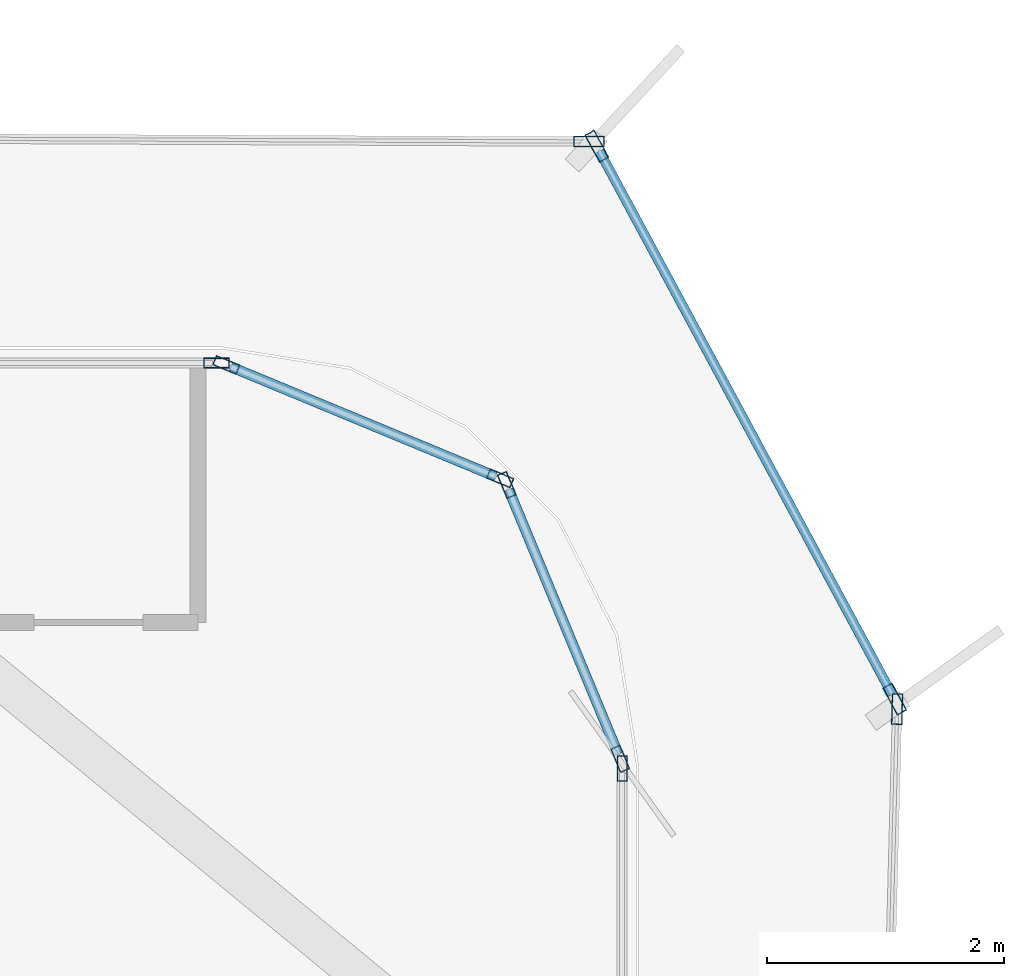
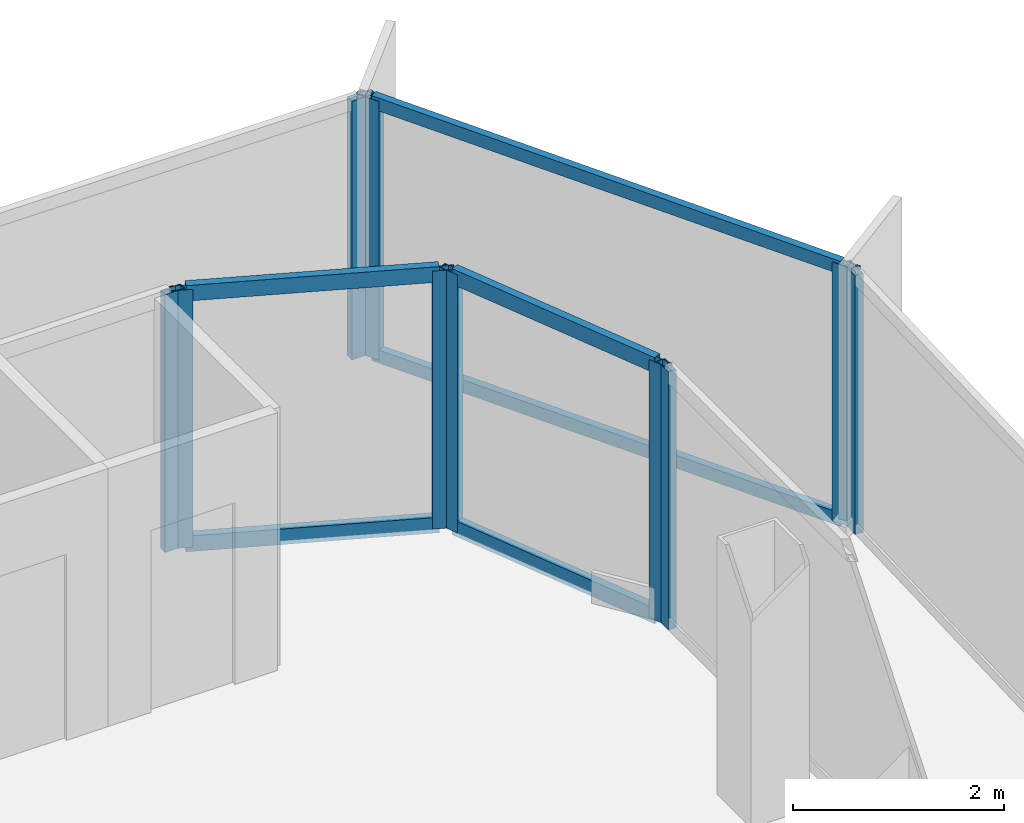
# One storey, part 8 of 16: 16 members, 7 elements without a shape of their own.
"""IFC4 building model written with IfcOpenShell, lengths in metres."""

from ifc_helpers import new_model, si_unit, direction, frame, origin, origin_2d, place, context, subcontext, project, spatial, hollow_rectangle, extrude, source, transform, mapped, material, layer, layer_set, material_profile, profile_set, type_object, element, aggregate, save


model = new_model("IFC4")

# Units and contexts
model_context = context("Model", 3, precision=1e-05, world=origin(), true_north=direction((0.0, 1.0)))
body_context = subcontext(model_context, "Body", "Model", "MODEL_VIEW")
ifc_project = project(units=[si_unit("LENGTHUNIT", "METRE"), si_unit("AREAUNIT", "SQUARE_METRE"), si_unit("VOLUMEUNIT", "CUBIC_METRE"), si_unit("PLANEANGLEUNIT", "RADIAN"), si_unit("MASSUNIT", "GRAM", prefix="KILO")], contexts=[model_context])

# Site, building, storey
site_placement = place(None, origin())
site = spatial("IfcSite", under=ifc_project, at=site_placement, CompositionType="ELEMENT")
building_placement = place(site_placement, origin())
building = spatial("IfcBuilding", under=site, at=building_placement, Name="Kolveth Station Tower", CompositionType="ELEMENT")
storey_placement = place(building_placement, frame((0.0, 0.0, 236.10009765625)))
storey = spatial("IfcBuildingStorey", under=building, at=storey_placement, Name="L67", CompositionType="ELEMENT", Elevation=236.10009765625)

# Curtain wall, member
ifc_material_1 = material(Name="Black anodized aluminium 6063-T6 and dark solar glass", Category="aluminium")
ifc_layer_1 = layer(ifc_material_1, 0.159912109375)
ifc_layer_set_1 = layer_set([ifc_layer_1], Name="Black anodized aluminium 6063-T6 and dark solar glass")
curtain_wall_type_1 = type_object("IfcCurtainWallType", Name="OUTER SKIN CW-OS", PredefinedType="NOTDEFINED", material=ifc_layer_set_1)
curtain_wall_1_placement = place(storey_placement, origin())
curtain_wall_1 = element("IfcCurtainWall", 1, at=curtain_wall_1_placement, inside=storey, type_object=curtain_wall_type_1, Name="L67 Outer Ventilated Skin Curtain Wall 2", PredefinedType="NOTDEFINED")
ifc_material_2 = material(Name="Black anodized aluminium 6063-T6", Category="aluminium")
ifc_material_profile_1 = material_profile(ifc_material_2, hollow_rectangle(XDim=0.090087890625, YDim=0.260009765625, WallThickness=0.0048828125, at=origin_2d()), Name="ALU-90x260x5")
ifc_profile_set_1 = profile_set([ifc_material_profile_1], Name="Black anodized aluminium 6063-T6")
member_type_1 = type_object("IfcMemberType", Name="FIN MULLION ML-OS", PredefinedType="MULLION", material=ifc_profile_set_1)
shared_shape_1 = source(origin(), body_context, "Body", "SweptSolid", [
    extrude(hollow_rectangle(XDim=0.090087890625, YDim=0.260009765625, WallThickness=0.0048828125, at=origin_2d()), origin(), (0.0, 0.0, 1.0), 2.989990234375),
])
member_1_placement = place(storey_placement, frame((44.001220703125, 32.258544921875, 0.0), z_axis=(0.0, 0.0, 1.0), x_axis=(-0.999666538704, 0.0258226915, 0.0)))
member_1 = element("IfcMember", 2, at=member_1_placement, type_object=member_type_1, Name="CW-OS mullion 2", PredefinedType="MULLION", context=body_context, shape_type="MappedRepresentation", body=[
    mapped(shared_shape_1, transform((0.0, 0.0, 0.0), x_axis=(1.0, 0.0, 0.0), y_axis=(0.0, 1.0, 0.0), z_axis=(0.0, 0.0, 1.0), scale=1.0)),
])
aggregate(curtain_wall_1, [member_1])

# Curtain wall, members
curtain_wall_2_placement = place(storey_placement, origin())
curtain_wall_2 = element("IfcCurtainWall", 3, at=curtain_wall_2_placement, inside=storey, type_object=curtain_wall_type_1, Name="L67 Outer Ventilated Skin Curtain Wall 3", PredefinedType="NOTDEFINED")
member_2_placement = place(storey_placement, frame((43.981201171875, 32.343017578125, 0.0), z_axis=(0.0, 0.0, 1.0), x_axis=(-0.880317370004, -0.474385210636, 0.0)))
member_2 = element("IfcMember", 4, at=member_2_placement, type_object=member_type_1, Name="CW-OS mullion 1", PredefinedType="MULLION", context=body_context, shape_type="MappedRepresentation", body=[
    mapped(shared_shape_1, transform((0.0, 0.0, 0.0), x_axis=(1.0, 0.0, 0.0), y_axis=(0.0, 1.0, 0.0), z_axis=(0.0, 0.0, 1.0), scale=1.0)),
])
member_3_placement = place(storey_placement, frame((41.466552734375, 37.00927734375, 0.0), z_axis=(0.0, 0.0, 1.0), x_axis=(-0.880317370004, -0.474385210636, 0.0)))
member_3 = element("IfcMember", 5, at=member_3_placement, type_object=member_type_1, Name="CW-OS mullion 2", PredefinedType="MULLION", context=body_context, shape_type="MappedRepresentation", body=[
    mapped(shared_shape_1, transform((0.0, 0.0, 0.0), x_axis=(1.0, 0.0, 0.0), y_axis=(0.0, 1.0, 0.0), z_axis=(0.0, 0.0, 1.0), scale=1.0)),
])

# Curtain wall, member
curtain_wall_3_placement = place(storey_placement, origin())
curtain_wall_3 = element("IfcCurtainWall", 6, at=curtain_wall_3_placement, inside=storey, type_object=curtain_wall_type_1, Name="L67 Outer Ventilated Skin Curtain Wall 4", PredefinedType="NOTDEFINED")
member_4_placement = place(storey_placement, frame((41.400390625, 37.049072265625, 0.0), z_axis=(0.0, 0.0, 1.0), x_axis=(-0.004565667705, -0.999989577285, 0.0)))
member_4 = element("IfcMember", 7, at=member_4_placement, type_object=member_type_1, Name="CW-OS mullion 1", PredefinedType="MULLION", context=body_context, shape_type="MappedRepresentation", body=[
    mapped(shared_shape_1, transform((0.0, 0.0, 0.0), x_axis=(1.0, 0.0, 0.0), y_axis=(0.0, 1.0, 0.0), z_axis=(0.0, 0.0, 1.0), scale=1.0)),
])
aggregate(curtain_wall_3, [member_4])

ifc_material_3 = material(Name="Aluminium 6063-T6 and triple low-E dark glass", Category="aluminium")
ifc_layer_2 = layer(ifc_material_3, 0.199951171875)
ifc_layer_set_2 = layer_set([ifc_layer_2], Name="Aluminium 6063-T6 and triple low-E dark glass")
curtain_wall_type_2 = type_object("IfcCurtainWallType", Name="CurtainWall_CW-Z3", PredefinedType="NOTDEFINED", material=ifc_layer_set_2)
curtain_wall_4_placement = place(storey_placement, origin())
curtain_wall_4 = element("IfcCurtainWall", 8, at=curtain_wall_4_placement, inside=storey, type_object=curtain_wall_type_2, Name="L67 Inner Thermal Curtain Wall 3", PredefinedType="NOTDEFINED")
ifc_material_profile_2 = material_profile(ifc_material_2, hollow_rectangle(XDim=0.0849609375, YDim=0.215087890625, WallThickness=0.0048828125, at=origin_2d()), Name="ALU-85x215x5")
ifc_profile_set_2 = profile_set([ifc_material_profile_2], Name="Black anodized aluminium 6063-T6")
member_type_2 = type_object("IfcMemberType", Name="Mullion_ML3", PredefinedType="MULLION", material=ifc_profile_set_2)
shared_shape_2 = source(origin(), body_context, "Body", "SweptSolid", [
    extrude(hollow_rectangle(XDim=0.0849609375, YDim=0.215087890625, WallThickness=0.0048828125, at=origin_2d()), origin(), (0.0, 0.0, 1.0), 2.97998046875),
])
member_5_placement = place(storey_placement, frame((41.679931640625, 31.757568359375, 0.0), z_axis=(0.0, 0.0, 1.0), x_axis=(-1.0, 0.0, 0.0)))
member_5 = element("IfcMember", 9, at=member_5_placement, type_object=member_type_2, Name="CW-Z3 mullion 2", PredefinedType="MULLION", context=body_context, shape_type="MappedRepresentation", body=[
    mapped(shared_shape_2, transform((0.0, 0.0, 0.0), x_axis=(1.0, 0.0, 0.0), y_axis=(0.0, 1.0, 0.0), z_axis=(0.0, 0.0, 1.0), scale=1.0)),
])
aggregate(curtain_wall_4, [member_5])

# Curtain wall, members
curtain_wall_5_placement = place(storey_placement, origin())
curtain_wall_5 = element("IfcCurtainWall", 10, at=curtain_wall_5_placement, inside=storey, type_object=curtain_wall_type_2, Name="L67 Inner Thermal Curtain Wall 4", PredefinedType="NOTDEFINED")
member_6_placement = place(storey_placement, frame((41.663818359375, 31.83935546875, 0.0), z_axis=(0.0, 0.0, 1.0), x_axis=(-0.923875488975, -0.382693194181, 0.0)))
member_6 = element("IfcMember", 11, at=member_6_placement, type_object=member_type_2, Name="CW-Z3 mullion 1", PredefinedType="MULLION", context=body_context, shape_type="MappedRepresentation", body=[
    mapped(shared_shape_2, transform((0.0, 0.0, 0.0), x_axis=(1.0, 0.0, 0.0), y_axis=(0.0, 1.0, 0.0), z_axis=(0.0, 0.0, 1.0), scale=1.0)),
])
member_7_placement = place(storey_placement, frame((40.706298828125, 34.150634765625, 0.0), z_axis=(0.0, 0.0, 1.0), x_axis=(-0.923875488975, -0.382693194181, 0.0)))
member_7 = element("IfcMember", 12, at=member_7_placement, type_object=member_type_2, Name="CW-Z3 mullion 2", PredefinedType="MULLION", context=body_context, shape_type="MappedRepresentation", body=[
    mapped(shared_shape_2, transform((0.0, 0.0, 0.0), x_axis=(1.0, 0.0, 0.0), y_axis=(0.0, 1.0, 0.0), z_axis=(0.0, 0.0, 1.0), scale=1.0)),
])

curtain_wall_6_placement = place(storey_placement, origin())
curtain_wall_6 = element("IfcCurtainWall", 13, at=curtain_wall_6_placement, inside=storey, type_object=curtain_wall_type_2, Name="L67 Inner Thermal Curtain Wall 5", PredefinedType="NOTDEFINED")
member_8_placement = place(storey_placement, frame((40.650634765625, 34.206298828125, 0.0), z_axis=(0.0, 0.0, 1.0), x_axis=(-0.382693194181, -0.923875488975, 0.0)))
member_8 = element("IfcMember", 14, at=member_8_placement, type_object=member_type_2, Name="CW-Z3 mullion 1", PredefinedType="MULLION", context=body_context, shape_type="MappedRepresentation", body=[
    mapped(shared_shape_2, transform((0.0, 0.0, 0.0), x_axis=(1.0, 0.0, 0.0), y_axis=(0.0, 1.0, 0.0), z_axis=(0.0, 0.0, 1.0), scale=1.0)),
])
member_9_placement = place(storey_placement, frame((38.33935546875, 35.163818359375, 0.0), z_axis=(0.0, 0.0, 1.0), x_axis=(-0.382693194181, -0.923875488975, 0.0)))
member_9 = element("IfcMember", 15, at=member_9_placement, type_object=member_type_2, Name="CW-Z3 mullion 2", PredefinedType="MULLION", context=body_context, shape_type="MappedRepresentation", body=[
    mapped(shared_shape_2, transform((0.0, 0.0, 0.0), x_axis=(1.0, 0.0, 0.0), y_axis=(0.0, 1.0, 0.0), z_axis=(0.0, 0.0, 1.0), scale=1.0)),
])

# Curtain wall, member
curtain_wall_7_placement = place(storey_placement, origin())
curtain_wall_7 = element("IfcCurtainWall", 16, at=curtain_wall_7_placement, inside=storey, type_object=curtain_wall_type_2, Name="L67 Inner Thermal Curtain Wall 6", PredefinedType="NOTDEFINED")
member_10_placement = place(storey_placement, frame((38.257568359375, 35.179931640625, 0.0), z_axis=(0.0, 0.0, 1.0), x_axis=(0.0, -1.0, 0.0)))
member_10 = element("IfcMember", 17, at=member_10_placement, type_object=member_type_2, Name="CW-Z3 mullion 1", PredefinedType="MULLION", context=body_context, shape_type="MappedRepresentation", body=[
    mapped(shared_shape_2, transform((0.0, 0.0, 0.0), x_axis=(1.0, 0.0, 0.0), y_axis=(0.0, 1.0, 0.0), z_axis=(0.0, 0.0, 1.0), scale=1.0)),
])
aggregate(curtain_wall_7, [member_10])

# Member
ifc_material_profile_3 = material_profile(ifc_material_2, hollow_rectangle(XDim=0.0849609375, YDim=0.179931640625, WallThickness=0.0048828125, at=origin_2d()), Name="ALU-85x180x5")
ifc_profile_set_3 = profile_set([ifc_material_profile_3], Name="Black anodized aluminium 6063-T6")
member_type_3 = type_object("IfcMemberType", Name="Transom_TR3", PredefinedType="USERDEFINED", material=ifc_profile_set_3)
shared_shape_3 = source(origin(), body_context, "Body", "SweptSolid", [
    extrude(hollow_rectangle(XDim=0.0849609375, YDim=0.179931640625, WallThickness=0.0048828125, at=origin_2d()), origin(), (0.0, 0.0, 1.0), 2.417236328125),
])
member_11_placement = place(storey_placement, frame((41.6474609375, 31.87841796875, 0.04248046875), z_axis=(-0.382699687013, 0.923872799448, 0.0), x_axis=(-0.923872799448, -0.382699687013, 0.0)))
member_11 = element("IfcMember", 18, at=member_11_placement, type_object=member_type_3, Name="CW-Z3 transom 1.1", ObjectType="TRANSOM", PredefinedType="USERDEFINED", context=body_context, shape_type="MappedRepresentation", body=[
    mapped(shared_shape_3, transform((0.0, 0.0, 0.0), x_axis=(1.0, 0.0, 0.0), y_axis=(0.0, 1.0, 0.0), z_axis=(0.0, 0.0, 1.0), scale=1.0)),
])

member_12_placement = place(storey_placement, frame((41.6474609375, 31.87841796875, 2.9375), z_axis=(-0.382699687013, 0.923872799448, 0.0), x_axis=(-0.923872799448, -0.382699687013, 0.0)))
member_12 = element("IfcMember", 19, at=member_12_placement, type_object=member_type_3, Name="CW-Z3 transom 1.2", ObjectType="TRANSOM", PredefinedType="USERDEFINED", context=body_context, shape_type="MappedRepresentation", body=[
    mapped(shared_shape_3, transform((0.0, 0.0, 0.0), x_axis=(1.0, 0.0, 0.0), y_axis=(0.0, 1.0, 0.0), z_axis=(0.0, 0.0, 1.0), scale=1.0)),
])

aggregate(curtain_wall_5, [member_6, member_7, member_11, member_12])

member_13_placement = place(storey_placement, frame((40.611572265625, 34.222412109375, 0.04248046875), z_axis=(-0.923872799448, 0.382699687013, 0.0), x_axis=(-0.382699687013, -0.923872799448, 0.0)))
member_13 = element("IfcMember", 20, at=member_13_placement, type_object=member_type_3, Name="CW-Z3 transom 1.1", ObjectType="TRANSOM", PredefinedType="USERDEFINED", context=body_context, shape_type="MappedRepresentation", body=[
    mapped(shared_shape_3, transform((0.0, 0.0, 0.0), x_axis=(1.0, 0.0, 0.0), y_axis=(0.0, 1.0, 0.0), z_axis=(0.0, 0.0, 1.0), scale=1.0)),
])

member_14_placement = place(storey_placement, frame((40.611572265625, 34.222412109375, 2.9375), z_axis=(-0.923872799448, 0.382699687013, 0.0), x_axis=(-0.382699687013, -0.923872799448, 0.0)))
member_14 = element("IfcMember", 21, at=member_14_placement, type_object=member_type_3, Name="CW-Z3 transom 1.2", ObjectType="TRANSOM", PredefinedType="USERDEFINED", context=body_context, shape_type="MappedRepresentation", body=[
    mapped(shared_shape_3, transform((0.0, 0.0, 0.0), x_axis=(1.0, 0.0, 0.0), y_axis=(0.0, 1.0, 0.0), z_axis=(0.0, 0.0, 1.0), scale=1.0)),
])

aggregate(curtain_wall_6, [member_8, member_9, member_13, member_14])

ifc_material_profile_4 = material_profile(ifc_material_2, hollow_rectangle(XDim=0.080078125, YDim=0.14990234375, WallThickness=0.0048828125, at=origin_2d()), Name="ALU-80x150x5")
ifc_profile_set_4 = profile_set([ifc_material_profile_4], Name="Black anodized aluminium 6063-T6")
member_type_4 = type_object("IfcMemberType", Name="Transom_TR-OS", PredefinedType="USERDEFINED", material=ifc_profile_set_4)
shared_shape_4 = source(origin(), body_context, "Body", "SweptSolid", [
    extrude(hollow_rectangle(XDim=0.080078125, YDim=0.14990234375, WallThickness=0.0048828125, at=origin_2d()), origin(), (0.0, 0.0, 1.0), 5.21044921875),
])
member_15_placement = place(storey_placement, frame((43.959716796875, 32.3828125, 0.039794921875), z_axis=(-0.474368039697, 0.880326622859, 0.0), x_axis=(-0.880326622859, -0.474368039697, 0.0)))
member_15 = element("IfcMember", 22, at=member_15_placement, type_object=member_type_4, Name="CW-OS transom 1.1", ObjectType="TRANSOM", PredefinedType="USERDEFINED", context=body_context, shape_type="MappedRepresentation", body=[
    mapped(shared_shape_4, transform((0.0, 0.0, 0.0), x_axis=(1.0, 0.0, 0.0), y_axis=(0.0, 1.0, 0.0), z_axis=(0.0, 0.0, 1.0), scale=1.0)),
])

member_16_placement = place(storey_placement, frame((43.959716796875, 32.3828125, 2.949951171875), z_axis=(-0.474368039697, 0.880326622859, 0.0), x_axis=(-0.880326622859, -0.474368039697, 0.0)))
member_16 = element("IfcMember", 23, at=member_16_placement, type_object=member_type_4, Name="CW-OS transom 1.2", ObjectType="TRANSOM", PredefinedType="USERDEFINED", context=body_context, shape_type="MappedRepresentation", body=[
    mapped(shared_shape_4, transform((0.0, 0.0, 0.0), x_axis=(1.0, 0.0, 0.0), y_axis=(0.0, 1.0, 0.0), z_axis=(0.0, 0.0, 1.0), scale=1.0)),
])

aggregate(curtain_wall_2, [member_2, member_3, member_15, member_16])

save(model, "model.ifc")
